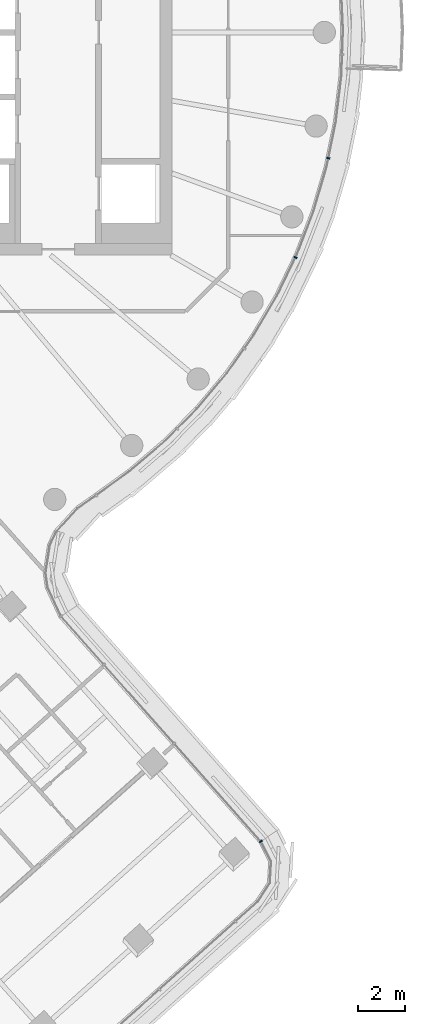
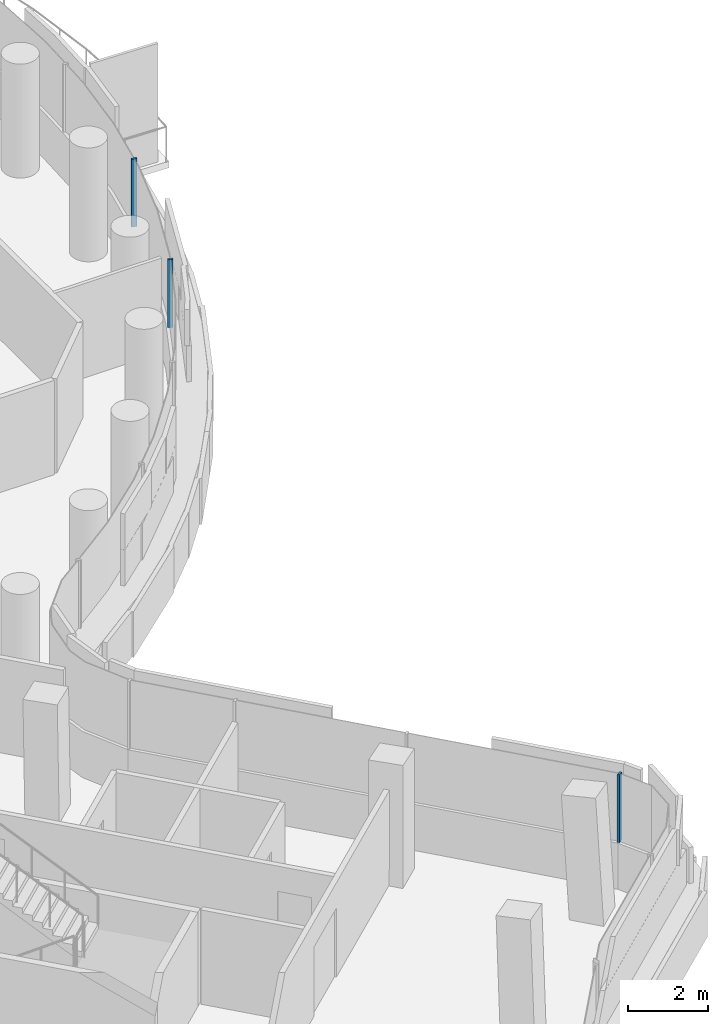
# One storey, part 13 of 33: 3 members, 2 elements without a shape of their own.
"""IFC4 building model written with IfcOpenShell, lengths in metres."""

import ifcopenshell
import ifcopenshell.guid

model = None  # the IFC model being written
_history = None  # IfcOwnerHistory: only IFC2X3 demands one
_inside = {}  # id of a spatial element -> (the spatial element, [elements in it])
_under = {}  # id of a project, library or spatial element -> (it, [spatial elements below it])
_declared = {}  # id of a project -> (the project, [libraries it declares])
_typed = {}  # id of a type object -> (the type object, [elements of that type])
_made_of = {}  # id of a material, layer set ... -> (it, [elements and type objects made of it])


def new_model(schema):
    """Start an empty IFC model of exactly this schema.

    Asked for "IFC4X3", IfcOpenShell would pick the latest addendum, in which some entities
    have other attributes; the version numbers below select the first issue.
    IFC2X3 requires an IfcOwnerHistory on every rooted entity: one is made here for all.
    """
    global model, _history
    if schema == "IFC4X3":
        model = ifcopenshell.file(schema_version=(4, 3, 0, 0))
    else:
        model = ifcopenshell.file(schema=schema)
    _inside.clear()
    _under.clear()
    _declared.clear()
    _typed.clear()
    _made_of.clear()
    _history = None
    if model.schema == "IFC2X3":
        org = make("IfcOrganization", Name="unknown")
        user = make(
            "IfcPersonAndOrganization",
            ThePerson=make("IfcPerson", FamilyName="unknown"),
            TheOrganization=org,
        )
        app = make(
            "IfcApplication",
            ApplicationDeveloper=org,
            Version="unknown",
            ApplicationFullName="unknown",
            ApplicationIdentifier="unknown",
        )
        _history = make(
            "IfcOwnerHistory",
            OwningUser=user,
            OwningApplication=app,
            ChangeAction="ADDED",
            CreationDate=0,
        )
    return model


def make(cls, **values):
    """One entity of the class cls with the attributes given. An attribute that is None is left unset."""
    return model.create_entity(
        cls, **{name: value for name, value in values.items() if value is not None}
    )


def rooted(cls, **values):
    """An entity with a GlobalId (a new one), such as an element, a storey or a relation."""
    return make(cls, GlobalId=ifcopenshell.guid.new(), OwnerHistory=_history, **values)


def si_unit(unit_type, name, prefix=None):
    """IfcSIUnit, for example si_unit("LENGTHUNIT", "METRE", prefix="MILLI")."""
    return make("IfcSIUnit", UnitType=unit_type, Prefix=prefix, Name=name)


def assignment(units):
    """IfcUnitAssignment: the units of a project."""
    return None if units is None else make("IfcUnitAssignment", Units=units)


def point(xyz):
    """IfcCartesianPoint."""
    return None if xyz is None else make("IfcCartesianPoint", Coordinates=xyz)


def direction(xyz):
    """IfcDirection."""
    return None if xyz is None else make("IfcDirection", DirectionRatios=xyz)


def frame(location, z_axis=None, x_axis=None):
    """IfcAxis2Placement3D, a coordinate frame: its origin and axes. An axis left out is left unset."""
    return make(
        "IfcAxis2Placement3D",
        Location=point(location),
        Axis=direction(z_axis),
        RefDirection=direction(x_axis),
    )


def frame_2d(location, x_axis=None):
    """IfcAxis2Placement2D, a coordinate frame in the plane: its origin and x axis."""
    return make(
        "IfcAxis2Placement2D", Location=point(location), RefDirection=direction(x_axis)
    )


def origin():
    """The frame at (0, 0, 0) with its axes left unset."""
    return frame((0.0, 0.0, 0.0))


def origin_2d():
    """The frame at (0, 0) in the plane with its x axis left unset."""
    return frame_2d((0.0, 0.0))


def place(relative_to, where):
    """IfcLocalPlacement: puts the frame where relative to a parent placement (None: the world)."""
    return make(
        "IfcLocalPlacement", PlacementRelTo=relative_to, RelativePlacement=where
    )


def context(
    kind, dimensions, precision=None, world=None, true_north=None, identifier=None
):
    """IfcGeometricRepresentationContext, for example the 3D "Model" context."""
    return make(
        "IfcGeometricRepresentationContext",
        ContextIdentifier=identifier,
        ContextType=kind,
        CoordinateSpaceDimension=dimensions,
        Precision=precision,
        WorldCoordinateSystem=world,
        TrueNorth=true_north,
    )


def subcontext(parent, identifier, kind, view, scale=None):
    """IfcGeometricRepresentationSubContext, for example "Body" below "Model"."""
    return make(
        "IfcGeometricRepresentationSubContext",
        ContextIdentifier=identifier,
        ContextType=kind,
        ParentContext=parent,
        TargetScale=scale,
        TargetView=view,
    )


def project(units=None, contexts=None):
    """IfcProject with its units and contexts."""
    return rooted(
        "IfcProject",
        Name="project",
        RepresentationContexts=contexts,
        UnitsInContext=assignment(units),
    )


def spatial(cls, under=None, at=None, **own):
    """A site, building, storey or space (cls), placed at a placement, below another one or the project."""
    s = rooted(cls, ObjectPlacement=at, **own)
    if under is not None:
        _under.setdefault(under.id(), (under, []))[1].append(s)
    return s


def profile(cls, at=None, kind="AREA", **sizes):
    """A parametric profile (cls). Its sizes go by their IFC names, for example OverallWidth=200.0."""
    return make(cls, ProfileType=kind, Position=at, **sizes)


def rectangle(**sizes):
    """IfcRectangleProfileDef."""
    return profile("IfcRectangleProfileDef", **sizes)


def extrude(swept, where, along, depth):
    """IfcExtrudedAreaSolid: the profile swept, set in the frame where, extruded along a direction by depth."""
    return make(
        "IfcExtrudedAreaSolid",
        SweptArea=swept,
        Position=where,
        ExtrudedDirection=direction(along),
        Depth=depth,
    )


def shape(context_of_items, identifier, shape_type, items):
    """IfcShapeRepresentation: the items that make up one representation, for example the "Body"."""
    return make(
        "IfcShapeRepresentation",
        ContextOfItems=context_of_items,
        RepresentationIdentifier=identifier,
        RepresentationType=shape_type,
        Items=items,
    )


def material(Name=None, Category=None):
    """IfcMaterial."""
    return make("IfcMaterial", Name=Name, Category=Category)


def layer(
    of_material, thickness, ventilated=None, Name=None, Category=None, Priority=None
):
    """IfcMaterialLayer: one layer of a wall or slab, of a material (None: an air gap)."""
    return make(
        "IfcMaterialLayer",
        Material=of_material,
        LayerThickness=thickness,
        IsVentilated=ventilated,
        Name=Name,
        Category=Category,
        Priority=Priority,
    )


def layer_set(layers, Name=None):
    """IfcMaterialLayerSet."""
    return make("IfcMaterialLayerSet", MaterialLayers=layers, LayerSetName=Name)


def material_profile(
    of_material, cross_section, Name=None, Category=None, Priority=None
):
    """IfcMaterialProfile: a cross section and its material."""
    return make(
        "IfcMaterialProfile",
        Name=Name,
        Material=of_material,
        Profile=cross_section,
        Priority=Priority,
        Category=Category,
    )


def profile_set(profiles, Name=None, composite=None):
    """IfcMaterialProfileSet."""
    return make(
        "IfcMaterialProfileSet",
        Name=Name,
        MaterialProfiles=profiles,
        CompositeProfile=composite,
    )


def made_of(thing, what):
    """Note that an element or type object is made of a material, layer set ...; save() writes the relation."""
    if what is not None:
        _made_of.setdefault(what.id(), (what, []))[1].append(thing)
    return thing


def type_object(cls, material=None, **own):
    """A type object (cls), such as IfcWallType, which elements share."""
    return made_of(rooted(cls, **own), material)


def element(
    cls,
    number,
    at=None,
    inside=None,
    cuts=None,
    type_object=None,
    material=None,
    context=None,
    identifier="Body",
    shape_type=None,
    held_by="IfcProductDefinitionShape",
    body=None,
    shapes=None,
    **own,
):
    """One element of the class cls, such as IfcWall. Its Tag is "e" and its number.

    at: its placement. inside: the storey or other place that contains it. cuts: it is an
    opening in that element (IfcRelVoidsElement). A single representation is given by context,
    identifier, shape_type and body (its items); several are given by shapes. held_by: the class
    of the entity that holds the representations. save() writes the other relations.
    """
    e = rooted(cls, Tag="e%d" % number, ObjectPlacement=at, **own)
    if body is not None:
        shapes = [shape(context, identifier, shape_type, body)]
    if shapes is not None:
        e.Representation = make(held_by, Representations=shapes)
    if inside is not None:
        _inside.setdefault(inside.id(), (inside, []))[1].append(e)
    if cuts is not None:
        rooted(
            "IfcRelVoidsElement", RelatingBuildingElement=cuts, RelatedOpeningElement=e
        )
    if type_object is not None:
        _typed.setdefault(type_object.id(), (type_object, []))[1].append(e)
    return made_of(e, material)


def aggregate(whole, parts):
    """IfcRelAggregates: a whole, such as a stair, and the parts it consists of."""
    return rooted("IfcRelAggregates", RelatingObject=whole, RelatedObjects=parts)


def save(model, path):
    """Write the relations noted so far, then the file.

    IfcRelAggregates (storeys below a building ...), IfcRelContainedInSpatialStructure (elements
    in a storey), IfcRelDefinesByType, IfcRelAssociatesMaterial and IfcRelDeclares: one each for
    every whole, place, type object, material and project.
    """
    for whole, parts in _under.values():
        aggregate(whole, parts)
    for where, things in _inside.values():
        rooted(
            "IfcRelContainedInSpatialStructure",
            RelatedElements=things,
            RelatingStructure=where,
        )
    for kind, things in _typed.values():
        rooted("IfcRelDefinesByType", RelatedObjects=things, RelatingType=kind)
    for what, things in _made_of.values():
        rooted("IfcRelAssociatesMaterial", RelatedObjects=things, RelatingMaterial=what)
    for by, libraries in _declared.values():
        rooted("IfcRelDeclares", RelatingContext=by, RelatedDefinitions=libraries)
    model.write(path)


model = new_model("IFC4")

# Units and contexts
model_context = context("Model", 3, precision=1e-05, world=origin(), true_north=direction((0.0, 1.0)))
body_context = subcontext(model_context, "Body", "Model", "MODEL_VIEW")
ifc_project = project(units=[si_unit("LENGTHUNIT", "METRE"), si_unit("AREAUNIT", "SQUARE_METRE"), si_unit("VOLUMEUNIT", "CUBIC_METRE"), si_unit("PLANEANGLEUNIT", "RADIAN"), si_unit("MASSUNIT", "GRAM", prefix="KILO")], contexts=[model_context])

# Site, building, storey
site_placement = place(None, origin())
site = spatial("IfcSite", under=ifc_project, at=site_placement, CompositionType="ELEMENT")
building_placement = place(site_placement, origin())
building = spatial("IfcBuilding", under=site, at=building_placement, Name="Tamarind Cross Interchange Tower", CompositionType="ELEMENT")
storey_placement = place(building_placement, frame((0.0, 0.0, 186.10009765625)))
storey = spatial("IfcBuildingStorey", under=building, at=storey_placement, Name="L46", CompositionType="ELEMENT", Elevation=186.10009765625)

# Curtain wall, member
ifc_material = material(Name="Aluminium 6063-T6", Category="aluminium")
ifc_layer = layer(ifc_material, 0.139892578125)
ifc_layer_set = layer_set([ifc_layer], Name="Aluminium 6063-T6")
curtain_wall_type = type_object("IfcCurtainWallType", Name="Hotel curtain wall, 4.5 m bays", PredefinedType="NOTDEFINED", material=ifc_layer_set)
curtain_wall_1_placement = place(storey_placement, origin())
curtain_wall_1 = element("IfcCurtainWall", 1, at=curtain_wall_1_placement, inside=storey, type_object=curtain_wall_type, Name="CWS-L46-05", PredefinedType="NOTDEFINED")
ifc_material_profile = material_profile(ifc_material, rectangle(XDim=0.06005859375, YDim=0.139892578125, at=origin_2d()), Name="Mullion CW2")
ifc_profile_set = profile_set([ifc_material_profile], Name="Aluminium 6063-T6")
member_type = type_object("IfcMemberType", Name="Mullion CW2", PredefinedType="MULLION", material=ifc_profile_set)
member_1_placement = place(storey_placement, frame((20.29541015625, -34.501708984375, 1.39990234375), z_axis=(0.0, 0.0, 1.0), x_axis=(-0.562038563381, 0.827111028383, 0.0)))
member_1 = element("IfcMember", 2, at=member_1_placement, type_object=member_type, Name="CWM-L46-05-00", PredefinedType="MULLION", context=body_context, shape_type="SweptSolid", body=[
    extrude(rectangle(XDim=0.06005859375, YDim=0.139892578125, at=origin_2d()), origin(), (0.0, 0.0, 1.0), 2.06005859375),
])
aggregate(curtain_wall_1, [member_1])

# Curtain wall, members
curtain_wall_2_placement = place(storey_placement, origin())
curtain_wall_2 = element("IfcCurtainWall", 3, at=curtain_wall_2_placement, inside=storey, type_object=curtain_wall_type, Name="CWS-L46-06", PredefinedType="NOTDEFINED")
member_2_placement = place(storey_placement, frame((21.76904296875, -9.595947265625, 1.39990234375), z_axis=(0.0, 0.0, 1.0), x_axis=(0.435326231914, 0.900272776334, 0.0)))
member_2 = element("IfcMember", 4, at=member_2_placement, type_object=member_type, Name="CWM-L46-06-04", PredefinedType="MULLION", context=body_context, shape_type="SweptSolid", body=[
    extrude(rectangle(XDim=0.06005859375, YDim=0.139892578125, at=origin_2d()), origin(), (0.0, 0.0, 1.0), 2.06005859375),
])
member_3_placement = place(storey_placement, frame((23.17041015625, -5.362548828125, 1.39990234375), z_axis=(0.0, 0.0, 1.0), x_axis=(0.201001463943, 0.9795909409, 0.0)))
member_3 = element("IfcMember", 5, at=member_3_placement, type_object=member_type, Name="CWM-L46-06-05", PredefinedType="MULLION", context=body_context, shape_type="SweptSolid", body=[
    extrude(rectangle(XDim=0.06005859375, YDim=0.139892578125, at=origin_2d()), origin(), (0.0, 0.0, 1.0), 2.06005859375),
])
aggregate(curtain_wall_2, [member_2, member_3])

save(model, "model.ifc")
